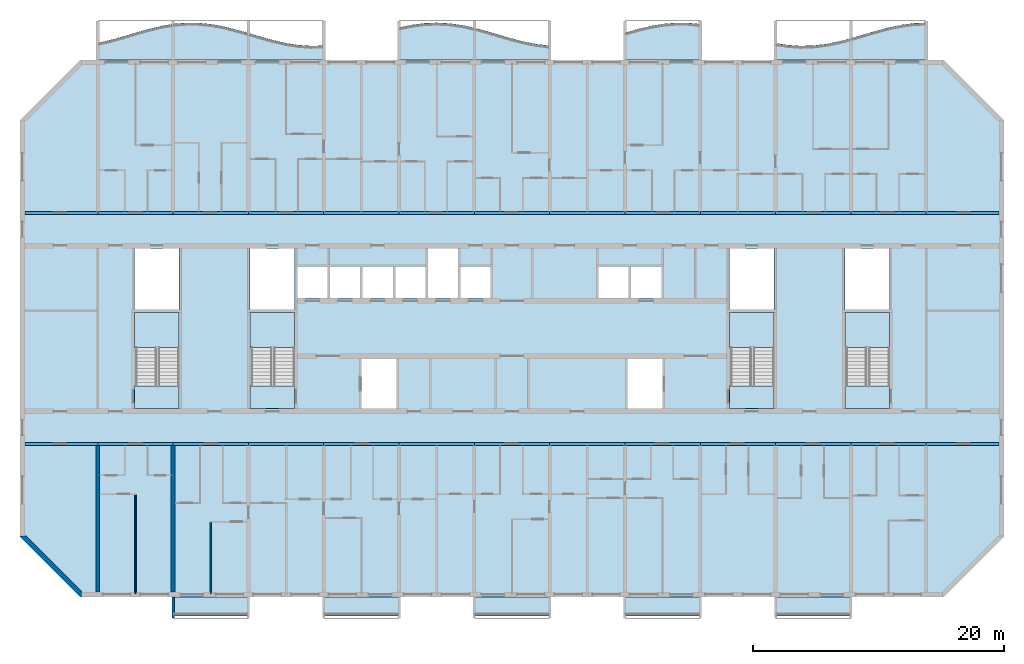
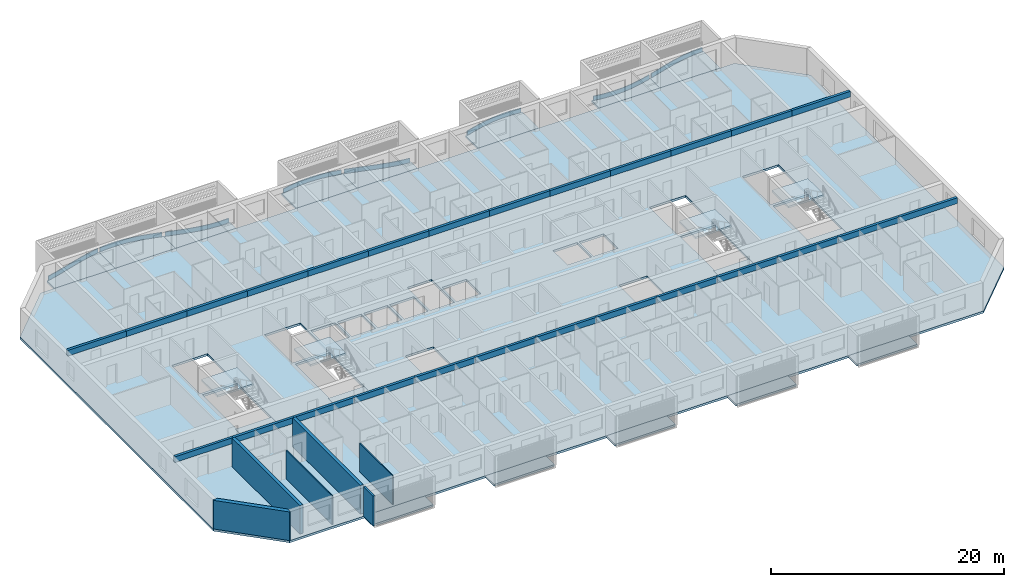
# One storey, part 1 of 32: 26 beams, 22 slabs, 8 plates, 6 walls, 4 elements without a shape of their own.
"""IFC4 building model written with IfcOpenShell, lengths in metres."""

from ifc_helpers import new_model, si_unit, direction, frame, frame_2d, origin, origin_2d, place, context, subcontext, project, spatial, polyline, rectangle, outline, extrude, source, transform, mapped, material, layer, layer_set, material_profile, profile_set, type_object, element, aggregate, save


model = new_model("IFC4")

# Units and contexts
model_context = context("Model", 3, precision=1e-05, world=origin(), true_north=direction((0.0, 1.0)))
body_context = subcontext(model_context, "Body", "Model", "MODEL_VIEW")
ifc_project = project(units=[si_unit("LENGTHUNIT", "METRE"), si_unit("AREAUNIT", "SQUARE_METRE"), si_unit("VOLUMEUNIT", "CUBIC_METRE"), si_unit("PLANEANGLEUNIT", "RADIAN"), si_unit("MASSUNIT", "GRAM", prefix="KILO")], contexts=[model_context])

# Site, building, storey
site_placement = place(None, origin())
site = spatial("IfcSite", under=ifc_project, at=site_placement, CompositionType="ELEMENT")
building_placement = place(site_placement, origin())
building = spatial("IfcBuilding", under=site, at=building_placement, Name="Poui Terraces", CompositionType="ELEMENT")
storey_placement = place(building_placement, frame((0.0, 0.0, 155.39990234375)))
storey = spatial("IfcBuildingStorey", under=building, at=storey_placement, Name="L43", CompositionType="ELEMENT", Elevation=155.39990234375)

# Beams
ifc_material_1 = material(Name="Concrete 65 MPa", Category="concrete")
ifc_material_profile = material_profile(ifc_material_1, rectangle(XDim=0.25, YDim=0.60009765625, at=origin_2d()), Name="RC 250x600")
ifc_profile_set = profile_set([ifc_material_profile], Name="Concrete 65 MPa")
beam_type = type_object("IfcBeamType", Name="COUPLING BEAM 250x600 65MPa", PredefinedType="BEAM", material=ifc_profile_set)
shared_shape_1 = source(origin(), body_context, "Body", "SweptSolid", [
    extrude(rectangle(XDim=0.25, YDim=0.60009765625, at=origin_2d()), origin(), (0.0, 0.0, 1.0), 5.800048828125),
])
for number, where, z_axis, x_axis, name in (
    (1, (12.199951171875, 12.0, 2.7001953125), (1.0, 0.0, 0.0), (0.0, 1.0, 0.0), "COUPLING BEAM LINE B BAY 1"),
    (2, (84.0, 12.0, 2.7001953125), (1.0, 0.0, 0.0), (0.0, 1.0, 0.0), "COUPLING BEAM LINE B BAY 13"),
    (3, (12.199951171875, 30.39990234375, 2.7001953125), (1.0, 0.0, 0.0), (0.0, 1.0, 0.0), "COUPLING BEAM LINE E BAY 1"),
    (4, (84.0, 30.39990234375, 2.7001953125), (1.0, 0.0, 0.0), (0.0, 1.0, 0.0), "COUPLING BEAM LINE E BAY 13"),
):
    element("IfcBeam", number, at=place(storey_placement, frame(where, z_axis=z_axis, x_axis=x_axis)), inside=storey, type_object=beam_type, Name=name, PredefinedType="BEAM", context=body_context, shape_type="MappedRepresentation", body=[
        mapped(shared_shape_1, transform((0.0, 0.0, 0.0))),
    ])
shared_shape_2 = source(origin(), body_context, "Body", "SweptSolid", [
    extrude(rectangle(XDim=0.25, YDim=0.60009765625, at=origin_2d()), origin(), (0.0, 0.0, 1.0), 6.0),
])
for number, where, z_axis, x_axis, name in (
    (5, (18.0, 12.0, 2.7001953125), (1.0, 0.0, 0.0), (0.0, 1.0, 0.0), "COUPLING BEAM LINE B BAY 2"),
    (6, (24.0, 12.0, 2.7001953125), (1.0, 0.0, 0.0), (0.0, 1.0, 0.0), "COUPLING BEAM LINE B BAY 3"),
    (7, (30.0, 12.0, 2.7001953125), (1.0, 0.0, 0.0), (0.0, 1.0, 0.0), "COUPLING BEAM LINE B BAY 4"),
    (8, (36.0, 12.0, 2.7001953125), (1.0, 0.0, 0.0), (0.0, 1.0, 0.0), "COUPLING BEAM LINE B BAY 5"),
    (9, (42.0, 12.0, 2.7001953125), (1.0, 0.0, 0.0), (0.0, 1.0, 0.0), "COUPLING BEAM LINE B BAY 6"),
    (10, (48.0, 12.0, 2.7001953125), (1.0, 0.0, 0.0), (0.0, 1.0, 0.0), "COUPLING BEAM LINE B BAY 7"),
    (11, (54.0, 12.0, 2.7001953125), (1.0, 0.0, 0.0), (0.0, 1.0, 0.0), "COUPLING BEAM LINE B BAY 8"),
    (12, (60.0, 12.0, 2.7001953125), (1.0, 0.0, 0.0), (0.0, 1.0, 0.0), "COUPLING BEAM LINE B BAY 9"),
    (13, (66.0, 12.0, 2.7001953125), (1.0, 0.0, 0.0), (0.0, 1.0, 0.0), "COUPLING BEAM LINE B BAY 10"),
    (14, (72.0, 12.0, 2.7001953125), (1.0, 0.0, 0.0), (0.0, 1.0, 0.0), "COUPLING BEAM LINE B BAY 11"),
    (15, (78.0, 12.0, 2.7001953125), (1.0, 0.0, 0.0), (0.0, 1.0, 0.0), "COUPLING BEAM LINE B BAY 12"),
    (16, (18.0, 30.39990234375, 2.7001953125), (1.0, 0.0, 0.0), (0.0, 1.0, 0.0), "COUPLING BEAM LINE E BAY 2"),
    (17, (24.0, 30.39990234375, 2.7001953125), (1.0, 0.0, 0.0), (0.0, 1.0, 0.0), "COUPLING BEAM LINE E BAY 3"),
    (18, (30.0, 30.39990234375, 2.7001953125), (1.0, 0.0, 0.0), (0.0, 1.0, 0.0), "COUPLING BEAM LINE E BAY 4"),
    (19, (36.0, 30.39990234375, 2.7001953125), (1.0, 0.0, 0.0), (0.0, 1.0, 0.0), "COUPLING BEAM LINE E BAY 5"),
    (20, (42.0, 30.39990234375, 2.7001953125), (1.0, 0.0, 0.0), (0.0, 1.0, 0.0), "COUPLING BEAM LINE E BAY 6"),
    (21, (48.0, 30.39990234375, 2.7001953125), (1.0, 0.0, 0.0), (0.0, 1.0, 0.0), "COUPLING BEAM LINE E BAY 7"),
    (22, (54.0, 30.39990234375, 2.7001953125), (1.0, 0.0, 0.0), (0.0, 1.0, 0.0), "COUPLING BEAM LINE E BAY 8"),
    (23, (60.0, 30.39990234375, 2.7001953125), (1.0, 0.0, 0.0), (0.0, 1.0, 0.0), "COUPLING BEAM LINE E BAY 9"),
    (24, (66.0, 30.39990234375, 2.7001953125), (1.0, 0.0, 0.0), (0.0, 1.0, 0.0), "COUPLING BEAM LINE E BAY 10"),
    (25, (72.0, 30.39990234375, 2.7001953125), (1.0, 0.0, 0.0), (0.0, 1.0, 0.0), "COUPLING BEAM LINE E BAY 11"),
    (26, (78.0, 30.39990234375, 2.7001953125), (1.0, 0.0, 0.0), (0.0, 1.0, 0.0), "COUPLING BEAM LINE E BAY 12"),
):
    element("IfcBeam", number, at=place(storey_placement, frame(where, z_axis=z_axis, x_axis=x_axis)), inside=storey, type_object=beam_type, Name=name, PredefinedType="BEAM", context=body_context, shape_type="MappedRepresentation", body=[
        mapped(shared_shape_2, transform((0.0, 0.0, 0.0))),
    ])

# Slabs
ifc_material_2 = material(Name="Precast concrete 40 MPa", Category="concrete")
ifc_layer_1 = layer(ifc_material_2, 0.199951171875)
ifc_layer_set_1 = layer_set([ifc_layer_1], Name="Precast concrete 40 MPa")
slab_type_1 = type_object("IfcSlabType", Name="BALCONY SLAB 200", PredefinedType="FLOOR", material=ifc_layer_set_1)
slab_1_placement = place(storey_placement, frame((0.0, 0.0, -0.199951171875)))
element("IfcSlab", 27, at=slab_1_placement, inside=storey, type_object=slab_type_1, Name="BALCONY SLAB", PredefinedType="FLOOR", context=body_context, shape_type="SweptSolid", body=[
    extrude(outline(polyline([(18.0, 42.60009765625), (24.0, 42.60009765625), (24.0, 45.44970703125), (23.0, 45.274658203125), (22.0, 45.03271484375), (21.0, 44.748779296875), (20.0, 44.4521484375), (19.0, 44.17333984375), (18.0, 43.94091796875), (18.0, 42.60009765625)])), origin(), (0.0, 0.0, 1.0), 0.199951171875),
])
slab_2_placement = place(storey_placement, frame((0.0, 0.0, -0.199951171875)))
element("IfcSlab", 28, at=slab_2_placement, inside=storey, type_object=slab_type_1, Name="BALCONY SLAB", PredefinedType="FLOOR", context=body_context, shape_type="SweptSolid", body=[
    extrude(outline(polyline([(24.0, 42.60009765625), (30.0, 42.60009765625), (30.0, 44.72412109375), (29.0, 45.01025390625), (28.0, 45.2568359375), (27.0, 45.438232421875), (26.0, 45.535888671875), (25.0, 45.539794921875), (24.0, 45.44970703125), (24.0, 42.60009765625)])), origin(), (0.0, 0.0, 1.0), 0.199951171875),
])
slab_3_placement = place(storey_placement, frame((0.0, 0.0, -0.199951171875)))
element("IfcSlab", 29, at=slab_3_placement, inside=storey, type_object=slab_type_1, Name="BALCONY SLAB", PredefinedType="FLOOR", context=body_context, shape_type="SweptSolid", body=[
    extrude(outline(polyline([(30.0, 42.60009765625), (36.0, 42.60009765625), (36.0, 43.72998046875), (35.0, 43.7021484375), (34.0, 43.769287109375), (33.0, 43.924560546875), (32.0, 44.15185546875), (31.0, 44.427734375), (30.0, 44.72412109375), (30.0, 42.60009765625)])), origin(), (0.0, 0.0, 1.0), 0.199951171875),
])
slab_4_placement = place(storey_placement, frame((0.0, 0.0, -0.199951171875)))
element("IfcSlab", 30, at=slab_4_placement, inside=storey, type_object=slab_type_1, Name="BALCONY SLAB", PredefinedType="FLOOR", context=body_context, shape_type="SweptSolid", body=[
    extrude(outline(polyline([(42.0, 42.60009765625), (48.0, 42.60009765625), (48.0, 45.14013671875), (47.0, 45.35693359375), (46.0, 45.498291015625), (45.0, 45.5498046875), (44.0, 45.506103515625), (43.0, 45.371826171875), (42.0, 45.16064453125), (42.0, 42.60009765625)])), origin(), (0.0, 0.0, 1.0), 0.199951171875),
])
slab_5_placement = place(storey_placement, frame((0.0, 0.0, -0.199951171875)))
element("IfcSlab", 31, at=slab_5_placement, inside=storey, type_object=slab_type_1, Name="BALCONY SLAB", PredefinedType="FLOOR", context=body_context, shape_type="SweptSolid", body=[
    extrude(outline(polyline([(48.0, 42.60009765625), (54.0, 42.60009765625), (54.0, 43.72412109375), (53.0, 43.836669921875), (52.0, 44.030517578125), (51.0, 44.285400390625), (50.0, 44.5751953125), (49.0, 44.870361328125), (48.0, 45.14013671875), (48.0, 42.60009765625)])), origin(), (0.0, 0.0, 1.0), 0.199951171875),
])
slab_6_placement = place(storey_placement, frame((0.0, 0.0, -0.199951171875)))
element("IfcSlab", 32, at=slab_6_placement, inside=storey, type_object=slab_type_1, Name="BALCONY SLAB", PredefinedType="FLOOR", context=body_context, shape_type="SweptSolid", body=[
    extrude(outline(polyline([(60.0, 42.60009765625), (66.0, 42.60009765625), (66.0, 45.438232421875), (65.0, 45.535888671875), (64.0, 45.539794921875), (63.0, 45.44970703125), (62.0, 45.274658203125), (61.0, 45.03271484375), (60.0, 44.748779296875), (60.0, 42.60009765625)])), origin(), (0.0, 0.0, 1.0), 0.199951171875),
])
slab_7_placement = place(storey_placement, frame((0.0, 0.0, -0.199951171875)))
element("IfcSlab", 33, at=slab_7_placement, inside=storey, type_object=slab_type_1, Name="BALCONY SLAB", PredefinedType="FLOOR", context=body_context, shape_type="SweptSolid", body=[
    extrude(outline(polyline([(72.0, 42.60009765625), (78.0, 42.60009765625), (78.0, 44.30859375), (77.0, 44.0498046875), (76.0, 43.849853515625), (75.0, 43.72998046875), (74.0, 43.7021484375), (73.0, 43.769287109375), (72.0, 43.924560546875), (72.0, 42.60009765625)])), origin(), (0.0, 0.0, 1.0), 0.199951171875),
])
slab_8_placement = place(storey_placement, frame((0.0, 0.0, -0.199951171875)))
element("IfcSlab", 34, at=slab_8_placement, inside=storey, type_object=slab_type_1, Name="BALCONY SLAB", PredefinedType="FLOOR", context=body_context, shape_type="SweptSolid", body=[
    extrude(outline(polyline([(78.0, 42.60009765625), (84.0, 42.60009765625), (84.0, 45.5498046875), (83.0, 45.506103515625), (82.0, 45.371826171875), (81.0, 45.16064453125), (80.0, 44.894287109375), (79.0, 44.60009765625), (78.0, 44.30859375), (78.0, 42.60009765625)])), origin(), (0.0, 0.0, 1.0), 0.199951171875),
])

# Stair, slabs
stair_type = type_object("IfcStairType", Name="EXIT STAIR 1650 65 MPA", PredefinedType="HALF_TURN_STAIR", material=ifc_material_1)
stair_1_placement = place(storey_placement, origin())
stair_1 = element("IfcStair", 35, at=stair_1_placement, inside=storey, type_object=stair_type, Name="L43 CORE STAIR EAST", PredefinedType="HALF_TURN_STAIR")
ifc_layer_2 = layer(ifc_material_1, 0.199951171875)
ifc_layer_set_2 = layer_set([ifc_layer_2], Name="Concrete 65 MPa")
slab_type_2 = type_object("IfcSlabType", Name="STAIR LANDING 200 65 MPA", PredefinedType="LANDING", material=ifc_layer_set_2)
slab_9_placement = place(storey_placement, frame((0.0, 0.0, 1.449951171875)))
slab_9 = element("IfcSlab", 36, at=slab_9_placement, type_object=slab_type_2, Name="ST-CE landing 1", PredefinedType="LANDING", context=body_context, shape_type="SweptSolid", body=[
    extrude(outline(polyline([(68.324951171875, 19.679931640625), (71.875, 19.679931640625), (71.875, 22.47509765625), (68.324951171875, 22.47509765625), (68.324951171875, 19.679931640625)])), origin(), (0.0, 0.0, 1.0), 0.2001953125),
])
slab_10_placement = place(storey_placement, frame((0.0, 0.0, -0.199951171875)))
slab_10 = element("IfcSlab", 37, at=slab_10_placement, type_object=slab_type_2, Name="ST-CE landing 2", PredefinedType="LANDING", context=body_context, shape_type="SweptSolid", body=[
    extrude(outline(polyline([(68.324951171875, 14.824951171875), (71.875, 14.824951171875), (71.875, 16.60009765625), (68.324951171875, 16.60009765625), (68.324951171875, 14.824951171875)])), origin(), (0.0, 0.0, 1.0), 0.199951171875),
])
aggregate(stair_1, [slab_9, slab_10])

stair_2_placement = place(storey_placement, origin())
stair_2 = element("IfcStair", 38, at=stair_2_placement, inside=storey, type_object=stair_type, Name="L43 CORE STAIR WEST", PredefinedType="HALF_TURN_STAIR")
slab_11_placement = place(storey_placement, frame((0.0, 0.0, 1.449951171875)))
slab_11 = element("IfcSlab", 39, at=slab_11_placement, type_object=slab_type_2, Name="ST-CW landing 1", PredefinedType="LANDING", context=body_context, shape_type="SweptSolid", body=[
    extrude(outline(polyline([(30.125, 19.679931640625), (33.675048828125, 19.679931640625), (33.675048828125, 22.47509765625), (30.125, 22.47509765625), (30.125, 19.679931640625)])), origin(), (0.0, 0.0, 1.0), 0.2001953125),
])
slab_12_placement = place(storey_placement, frame((0.0, 0.0, -0.199951171875)))
slab_12 = element("IfcSlab", 40, at=slab_12_placement, type_object=slab_type_2, Name="ST-CW landing 2", PredefinedType="LANDING", context=body_context, shape_type="SweptSolid", body=[
    extrude(outline(polyline([(30.125, 14.824951171875), (33.675048828125, 14.824951171875), (33.675048828125, 16.60009765625), (30.125, 16.60009765625), (30.125, 14.824951171875)])), origin(), (0.0, 0.0, 1.0), 0.199951171875),
])
aggregate(stair_2, [slab_11, slab_12])

stair_3_placement = place(storey_placement, origin())
stair_3 = element("IfcStair", 41, at=stair_3_placement, inside=storey, type_object=stair_type, Name="L43 TIP STAIR EAST", PredefinedType="HALF_TURN_STAIR")
slab_13_placement = place(storey_placement, frame((0.0, 0.0, 1.449951171875)))
slab_13 = element("IfcSlab", 42, at=slab_13_placement, type_object=slab_type_2, Name="ST-E landing 1", PredefinedType="LANDING", context=body_context, shape_type="SweptSolid", body=[
    extrude(outline(polyline([(77.52490234375, 19.679931640625), (81.074951171875, 19.679931640625), (81.074951171875, 22.47509765625), (77.52490234375, 22.47509765625), (77.52490234375, 19.679931640625)])), origin(), (0.0, 0.0, 1.0), 0.2001953125),
])
slab_14_placement = place(storey_placement, frame((0.0, 0.0, -0.199951171875)))
slab_14 = element("IfcSlab", 43, at=slab_14_placement, type_object=slab_type_2, Name="ST-E landing 2", PredefinedType="LANDING", context=body_context, shape_type="SweptSolid", body=[
    extrude(outline(polyline([(77.52490234375, 14.824951171875), (81.074951171875, 14.824951171875), (81.074951171875, 16.60009765625), (77.52490234375, 16.60009765625), (77.52490234375, 14.824951171875)])), origin(), (0.0, 0.0, 1.0), 0.199951171875),
])
aggregate(stair_3, [slab_13, slab_14])

stair_4_placement = place(storey_placement, origin())
stair_4 = element("IfcStair", 44, at=stair_4_placement, inside=storey, type_object=stair_type, Name="L43 TIP STAIR WEST", PredefinedType="HALF_TURN_STAIR")
slab_15_placement = place(storey_placement, frame((0.0, 0.0, 1.449951171875)))
slab_15 = element("IfcSlab", 45, at=slab_15_placement, type_object=slab_type_2, Name="ST-W landing 1", PredefinedType="LANDING", context=body_context, shape_type="SweptSolid", body=[
    extrude(outline(polyline([(20.925048828125, 19.679931640625), (24.47509765625, 19.679931640625), (24.47509765625, 22.47509765625), (20.925048828125, 22.47509765625), (20.925048828125, 19.679931640625)])), origin(), (0.0, 0.0, 1.0), 0.2001953125),
])
slab_16_placement = place(storey_placement, frame((0.0, 0.0, -0.199951171875)))
slab_16 = element("IfcSlab", 46, at=slab_16_placement, type_object=slab_type_2, Name="ST-W landing 2", PredefinedType="LANDING", context=body_context, shape_type="SweptSolid", body=[
    extrude(outline(polyline([(20.925048828125, 14.824951171875), (24.47509765625, 14.824951171875), (24.47509765625, 16.60009765625), (20.925048828125, 16.60009765625), (20.925048828125, 14.824951171875)])), origin(), (0.0, 0.0, 1.0), 0.199951171875),
])
aggregate(stair_4, [slab_15, slab_16])

# Plates
ifc_layer_3 = layer(ifc_material_2, 0.080078125)
ifc_layer_set_3 = layer_set([ifc_layer_3], Name="Precast concrete 40 MPa")
plate_type = type_object("IfcPlateType", Name="SUNSHADE UPSTAND 80", PredefinedType="SHEET", material=ifc_layer_set_3)
plate_1_placement = place(storey_placement, origin())
element("IfcPlate", 47, at=plate_1_placement, inside=storey, type_object=plate_type, Name="SUNSHADE UPSTAND", PredefinedType="SHEET", context=body_context, shape_type="SweptSolid", body=[
    extrude(outline(polyline([(18.989990234375, 44.1669921875), (18.11572265625, 43.96044921875), (18.13427734375, 43.882568359375), (19.010009765625, 44.089599609375), (20.010986328125, 44.36865234375), (21.01123046875, 44.665283203125), (22.01025390625, 44.948974609375), (23.00830078125, 45.1904296875), (23.882080078125, 45.347900390625), (23.867919921875, 45.426513671875), (22.99169921875, 45.268798828125), (21.98974609375, 45.0263671875), (20.98876953125, 44.7421875), (19.989013671875, 44.445556640625), (18.989990234375, 44.1669921875)])), origin(), (0.0, 0.0, 1.0), 0.4501953125),
])
plate_2_placement = place(storey_placement, origin())
element("IfcPlate", 48, at=plate_2_placement, inside=storey, type_object=plate_type, Name="SUNSHADE UPSTAND", PredefinedType="SHEET", context=body_context, shape_type="SweptSolid", body=[
    extrude(outline(polyline([(24.998291015625, 45.534912109375), (24.13671875, 45.462158203125), (24.12158203125, 45.460693359375), (24.12841796875, 45.381103515625), (25.001708984375, 45.454833984375), (25.998046875, 45.450927734375), (26.994384765625, 45.353515625), (27.99169921875, 45.172607421875), (28.98974609375, 44.926513671875), (29.864013671875, 44.677490234375), (29.885986328125, 44.754638671875), (29.01025390625, 45.00390625), (28.00830078125, 45.2509765625), (27.005615234375, 45.432861328125), (26.001953125, 45.531005859375), (24.998291015625, 45.534912109375)])), origin(), (0.0, 0.0, 1.0), 0.4501953125),
])
plate_3_placement = place(storey_placement, origin())
element("IfcPlate", 49, at=plate_3_placement, inside=storey, type_object=plate_type, Name="SUNSHADE UPSTAND", PredefinedType="SHEET", context=body_context, shape_type="SweptSolid", body=[
    extrude(outline(polyline([(31.010986328125, 44.42138671875), (30.136474609375, 44.680419921875), (30.113525390625, 44.603759765625), (30.989013671875, 44.344482421875), (31.990234375, 44.068115234375), (32.992431640625, 43.840087890625), (33.99560546875, 43.684326171875), (34.9990234375, 43.6171875), (35.8759765625, 43.63623046875), (35.8740234375, 43.71630859375), (35.0009765625, 43.697021484375), (34.00439453125, 43.763916015625), (33.007568359375, 43.918701171875), (32.009765625, 44.1455078125), (31.010986328125, 44.42138671875)])), origin(), (0.0, 0.0, 1.0), 0.4501953125),
])
plate_4_placement = place(storey_placement, origin())
element("IfcPlate", 50, at=plate_4_placement, inside=storey, type_object=plate_type, Name="SUNSHADE UPSTAND", PredefinedType="SHEET", context=body_context, shape_type="SweptSolid", body=[
    extrude(outline(polyline([(42.993408203125, 45.3662109375), (42.116943359375, 45.184814453125), (42.133056640625, 45.1064453125), (43.006591796875, 45.287353515625), (44.00341796875, 45.42138671875), (44.999755859375, 45.46484375), (45.99609375, 45.41357421875), (46.992919921875, 45.2724609375), (47.86669921875, 45.086669921875), (47.88330078125, 45.164794921875), (47.007080078125, 45.351318359375), (46.00390625, 45.4931640625), (45.000244140625, 45.544921875), (43.99658203125, 45.501220703125), (42.993408203125, 45.3662109375)])), origin(), (0.0, 0.0, 1.0), 0.4501953125),
])
plate_5_placement = place(storey_placement, origin())
element("IfcPlate", 51, at=plate_5_placement, inside=storey, type_object=plate_type, Name="SUNSHADE UPSTAND", PredefinedType="SHEET", context=body_context, shape_type="SweptSolid", body=[
    extrude(outline(polyline([(49.010986328125, 44.864013671875), (48.135498046875, 45.102294921875), (48.114501953125, 45.025146484375), (48.989013671875, 44.786865234375), (49.98876953125, 44.491943359375), (50.989501953125, 44.201904296875), (51.9912109375, 43.9462890625), (52.993896484375, 43.752197265625), (53.870361328125, 43.6484375), (53.879638671875, 43.727783203125), (53.006103515625, 43.831298828125), (52.0087890625, 44.0244140625), (51.010498046875, 44.279052734375), (50.01123046875, 44.568603515625), (49.010986328125, 44.864013671875)])), origin(), (0.0, 0.0, 1.0), 0.4501953125),
])
plate_6_placement = place(storey_placement, origin())
element("IfcPlate", 52, at=plate_6_placement, inside=storey, type_object=plate_type, Name="SUNSHADE UPSTAND", PredefinedType="SHEET", context=body_context, shape_type="SweptSolid", body=[
    extrude(outline(polyline([(60.989990234375, 45.0263671875), (60.114013671875, 44.779052734375), (60.135986328125, 44.7021484375), (61.010009765625, 44.948974609375), (62.00830078125, 45.1904296875), (63.00537109375, 45.364990234375), (64.001708984375, 45.454833984375), (64.998046875, 45.450927734375), (65.871337890625, 45.37060546875), (65.878662109375, 45.4501953125), (65.867431640625, 45.451171875), (65.001953125, 45.531005859375), (63.998291015625, 45.534912109375), (62.99462890625, 45.4443359375), (61.99169921875, 45.268798828125), (60.989990234375, 45.0263671875)])), origin(), (0.0, 0.0, 1.0), 0.4501953125),
])
plate_7_placement = place(storey_placement, origin())
element("IfcPlate", 53, at=plate_7_placement, inside=storey, type_object=plate_type, Name="SUNSHADE UPSTAND", PredefinedType="SHEET", context=body_context, shape_type="SweptSolid", body=[
    extrude(outline(polyline([(73.00439453125, 43.763916015625), (72.130859375, 43.895263671875), (72.119140625, 43.816162109375), (72.99560546875, 43.684326171875), (73.999267578125, 43.616943359375), (75.0029296875, 43.64501953125), (76.00634765625, 43.765380859375), (77.0087890625, 43.965576171875), (77.885009765625, 44.190185546875), (77.864990234375, 44.267578125), (76.9912109375, 44.043701171875), (75.99365234375, 43.844482421875), (74.9970703125, 43.724853515625), (74.000732421875, 43.697021484375), (73.00439453125, 43.763916015625)])), origin(), (0.0, 0.0, 1.0), 0.4501953125),
])
plate_8_placement = place(storey_placement, origin())
element("IfcPlate", 54, at=plate_8_placement, inside=storey, type_object=plate_type, Name="SUNSHADE UPSTAND", PredefinedType="SHEET", context=body_context, shape_type="SweptSolid", body=[
    extrude(outline(polyline([(78.98876953125, 44.593505859375), (78.11376953125, 44.33740234375), (78.13623046875, 44.260498046875), (79.01123046875, 44.516845703125), (80.0107421875, 44.810791015625), (81.00927734375, 45.07666015625), (82.0068359375, 45.287353515625), (83.003662109375, 45.42138671875), (83.876953125, 45.464599609375), (83.873046875, 45.54443359375), (83.831787109375, 45.54248046875), (82.996337890625, 45.501220703125), (81.9931640625, 45.3662109375), (80.99072265625, 45.154541015625), (79.9892578125, 44.8876953125), (78.98876953125, 44.593505859375)])), origin(), (0.0, 0.0, 1.0), 0.4501953125),
])

# Slabs
ifc_material_3 = material(Name="Concrete 40 MPa", Category="concrete")
ifc_layer_4 = layer(ifc_material_3, 0.22998046875)
ifc_layer_set_4 = layer_set([ifc_layer_4], Name="Concrete 40 MPa")
slab_type_3 = type_object("IfcSlabType", Name="FLOOR SLAB 230", PredefinedType="FLOOR", material=ifc_layer_set_4)
shared_shape_3 = source(origin(), body_context, "Body", "SweptSolid", [
    extrude(outline(polyline([(0.0, 0.0), (4.800048828125, -4.800048828125), (73.599853515625, -4.800048828125), (78.39990234375, 0.0), (78.39990234375, 33.199951171875), (73.599853515625, 38.0), (4.800048828125, 38.0), (0.0, 33.199951171875), (0.0, 0.0)]), holes=[polyline([(27.199951171875, 10.224853515625), (27.199951171875, 14.1748046875), (30.0, 14.1748046875), (30.0, 10.224853515625), (27.199951171875, 10.224853515625)]), polyline([(9.224853515625, 17.849853515625), (12.675048828125, 17.849853515625), (12.675048828125, 12.0), (12.675048828125, 10.224853515625), (9.125, 10.224853515625), (9.125, 12.0), (9.224853515625, 12.0), (9.224853515625, 17.849853515625)]), polyline([(18.425048828125, 17.849853515625), (21.875, 17.849853515625), (21.875, 12.0), (21.875, 10.224853515625), (18.324951171875, 10.224853515625), (18.324951171875, 12.0), (18.425048828125, 12.0), (18.425048828125, 17.849853515625)]), polyline([(22.099853515625, 19.02490234375), (22.099853515625, 21.5), (24.5, 21.5), (24.5, 19.02490234375), (22.099853515625, 19.02490234375)]), polyline([(24.699951171875, 19.02490234375), (24.699951171875, 21.5), (27.099853515625, 21.5), (27.099853515625, 19.02490234375), (24.699951171875, 19.02490234375)]), polyline([(27.300048828125, 19.02490234375), (27.300048828125, 21.5), (29.699951171875, 21.5), (29.699951171875, 19.02490234375), (27.300048828125, 19.02490234375)]), polyline([(29.89990234375, 19.02490234375), (29.89990234375, 21.5), (32.300048828125, 21.5), (32.300048828125, 19.02490234375), (29.89990234375, 19.02490234375)]), polyline([(9.125, 22.974853515625), (12.675048828125, 22.974853515625), (12.675048828125, 18.125), (9.125, 18.125), (9.125, 22.974853515625)]), polyline([(18.324951171875, 22.974853515625), (21.875, 22.974853515625), (21.875, 18.125), (18.324951171875, 18.125), (18.324951171875, 22.974853515625)]), polyline([(48.39990234375, 10.224853515625), (48.39990234375, 14.1748046875), (51.199951171875, 14.1748046875), (51.199951171875, 10.224853515625), (48.39990234375, 10.224853515625)]), polyline([(56.625, 17.849853515625), (60.074951171875, 17.849853515625), (60.074951171875, 12.0), (60.074951171875, 10.224853515625), (56.52490234375, 10.224853515625), (56.52490234375, 12.0), (56.625, 12.0), (56.625, 17.849853515625)]), polyline([(65.824951171875, 17.849853515625), (69.27490234375, 17.849853515625), (69.27490234375, 12.0), (69.27490234375, 10.224853515625), (65.724853515625, 10.224853515625), (65.724853515625, 12.0), (65.824951171875, 12.0), (65.824951171875, 17.849853515625)]), polyline([(35.099853515625, 19.02490234375), (35.099853515625, 21.5), (37.5, 21.5), (37.5, 19.02490234375), (35.099853515625, 19.02490234375)]), polyline([(46.099853515625, 19.02490234375), (46.099853515625, 21.5), (48.5, 21.5), (48.5, 19.02490234375), (46.099853515625, 19.02490234375)]), polyline([(48.699951171875, 19.02490234375), (48.699951171875, 21.5), (51.099853515625, 21.5), (51.099853515625, 19.02490234375), (48.699951171875, 19.02490234375)]), polyline([(56.52490234375, 18.125), (56.52490234375, 22.974853515625), (60.074951171875, 22.974853515625), (60.074951171875, 18.125), (56.52490234375, 18.125)]), polyline([(65.724853515625, 22.974853515625), (69.27490234375, 22.974853515625), (69.27490234375, 18.125), (65.724853515625, 18.125), (65.724853515625, 22.974853515625)]), polyline([(32.5, 22.974853515625), (34.89990234375, 22.974853515625), (34.89990234375, 19.02490234375), (32.5, 19.02490234375), (32.5, 22.974853515625)])]), origin(), (0.0, 0.0, 1.0), 0.22998046875),
])
slab_17_placement = place(storey_placement, frame((11.800048828125, 4.60009765625, -0.22998046875)))
element("IfcSlab", 55, at=slab_17_placement, inside=storey, type_object=slab_type_3, Name="FLOOR SLAB", PredefinedType="FLOOR", context=body_context, shape_type="MappedRepresentation", body=[
    mapped(shared_shape_3, transform((0.0, 0.0, 0.0))),
])
ifc_layer_5 = layer(ifc_material_2, 0.199951171875)
ifc_layer_set_5 = layer_set([ifc_layer_5], Name="Precast concrete 40 MPa")
slab_type_4 = type_object("IfcSlabType", Name="REAR BALCONY SLAB 200", PredefinedType="FLOOR", material=ifc_layer_set_5)
shared_shape_4 = source(origin(), body_context, "Body", "SweptSolid", [
    extrude(outline(polyline([(0.0, 0.0), (6.0, 0.0), (6.0, 1.5), (0.0, 1.5), (0.0, 0.0)])), origin(), (0.0, 0.0, 1.0), 0.199951171875),
])
for number, where, name in (
    (56, (24.0, -1.699951171875, -0.199951171875), "REAR BALCONY SLAB"),
    (57, (36.0, -1.699951171875, -0.199951171875), "REAR BALCONY SLAB"),
    (58, (48.0, -1.699951171875, -0.199951171875), "REAR BALCONY SLAB"),
    (59, (60.0, -1.699951171875, -0.199951171875), "REAR BALCONY SLAB"),
    (60, (72.0, -1.699951171875, -0.199951171875), "REAR BALCONY SLAB"),
):
    element("IfcSlab", number, at=place(storey_placement, frame(where)), inside=storey, type_object=slab_type_4, Name=name, PredefinedType="FLOOR", context=body_context, shape_type="MappedRepresentation", body=[
        mapped(shared_shape_4, transform((0.0, 0.0, 0.0))),
    ])

# Walls
ifc_layer_6 = layer(ifc_material_1, 0.300048828125)
ifc_layer_set_6 = layer_set([ifc_layer_6], Name="Concrete 65 MPa")
wall_type_1 = type_object("IfcWallType", Name="CROSS WALL 300 65MPa", PredefinedType="SHEAR", material=ifc_layer_set_6)
for number, where, z_axis, x_axis, name in (
    (61, (18.0, 0.199951171875, 0.0), (0.0, 0.0, 1.0), (0.0, 1.0, 0.0), "CROSS WALL LINE 4 SOUTH"),
    (62, (24.0, 0.199951171875, 0.0), (0.0, 0.0, 1.0), (0.0, 1.0, 0.0), "CROSS WALL LINE 5 SOUTH"),
):
    element("IfcWall", number, at=place(storey_placement, frame(where, z_axis=z_axis, x_axis=x_axis)), inside=storey, type_object=wall_type_1, Name=name, PredefinedType="SHEAR", context=body_context, shape_type="SweptSolid", body=[
        extrude(rectangle(XDim=11.675048828125, YDim=0.300048828125, at=frame_2d((5.83740234375, 0.0))), origin(), (0.0, 0.0, 1.0), 3.0),
    ])
ifc_material_4 = material(Name="Plasterboard partition")
ifc_layer_7 = layer(ifc_material_4, 0.10009765625)
ifc_layer_set_7 = layer_set([ifc_layer_7], Name="Plasterboard partition")
wall_type_2 = type_object("IfcWallType", Name="FLAT PARTITION 100", PredefinedType="PARTITIONING", material=ifc_layer_set_7)
wall_1_placement = place(storey_placement, frame((21.0, 0.06005859375, 0.0), z_axis=(0.0, 0.0, 1.0), x_axis=(0.0, 1.0, 0.0)))
element("IfcWall", 63, at=wall_1_placement, inside=storey, type_object=wall_type_2, Name="FLAT PARTITION 100", PredefinedType="PARTITIONING", context=body_context, shape_type="SweptSolid", body=[
    extrude(rectangle(XDim=7.889892578125, YDim=0.10009765625, at=frame_2d((3.94482421875, 0.0))), origin(), (0.0, 0.0, 1.0), 3.0),
])
wall_2_placement = place(storey_placement, frame((27.0, 0.06005859375, 0.0), z_axis=(0.0, 0.0, 1.0), x_axis=(0.0, 1.0, 0.0)))
element("IfcWall", 64, at=wall_2_placement, inside=storey, type_object=wall_type_2, Name="FLAT PARTITION 100", PredefinedType="PARTITIONING", context=body_context, shape_type="SweptSolid", body=[
    extrude(rectangle(XDim=5.68994140625, YDim=0.10009765625, at=frame_2d((2.844970703125, 0.0))), origin(), (0.0, 0.0, 1.0), 3.0),
])
ifc_layer_8 = layer(ifc_material_2, 0.39990234375)
ifc_layer_set_8 = layer_set([ifc_layer_8], Name="Precast concrete 40 MPa")
wall_type_3 = type_object("IfcWallType", Name="TERRACOTTA CLAD CHAMFER WALL 400", PredefinedType="STANDARD", material=ifc_layer_set_8)
wall_3_placement = place(storey_placement, origin())
element("IfcWall", 65, at=wall_3_placement, inside=storey, type_object=wall_type_3, Name="CHAMFER WALL CH07", PredefinedType="STANDARD", context=body_context, shape_type="SweptSolid", body=[
    extrude(outline(polyline([(11.800048828125, 4.682861328125), (11.800048828125, 4.60009765625), (16.60009765625, -0.199951171875), (16.682861328125, -0.199951171875), (16.682861328125, 0.28271484375), (12.28271484375, 4.682861328125), (11.800048828125, 4.682861328125)])), origin(), (0.0, 0.0, 1.0), 3.0),
])
ifc_layer_9 = layer(ifc_material_2, 0.199951171875)
ifc_layer_set_9 = layer_set([ifc_layer_9], Name="Precast concrete 40 MPa")
wall_type_4 = type_object("IfcWallType", Name="REAR FIN 200", PredefinedType="STANDARD", material=ifc_layer_set_9)
shared_shape_5 = source(origin(), body_context, "Body", "SweptSolid", [
    extrude(outline(polyline([(0.0, 0.0), (0.2001953125, 0.0), (0.2001953125, 1.650146484375), (0.0, 1.650146484375), (0.0, 0.0)])), origin(), (0.0, 0.0, 1.0), 3.10009765625),
])
wall_4_placement = place(storey_placement, frame((23.89990234375, -1.85009765625, 0.0)))
element("IfcWall", 66, at=wall_4_placement, inside=storey, type_object=wall_type_4, Name="REAR FIN", PredefinedType="STANDARD", context=body_context, shape_type="MappedRepresentation", body=[
    mapped(shared_shape_5, transform((0.0, 0.0, 0.0))),
])

save(model, "model.ifc")
